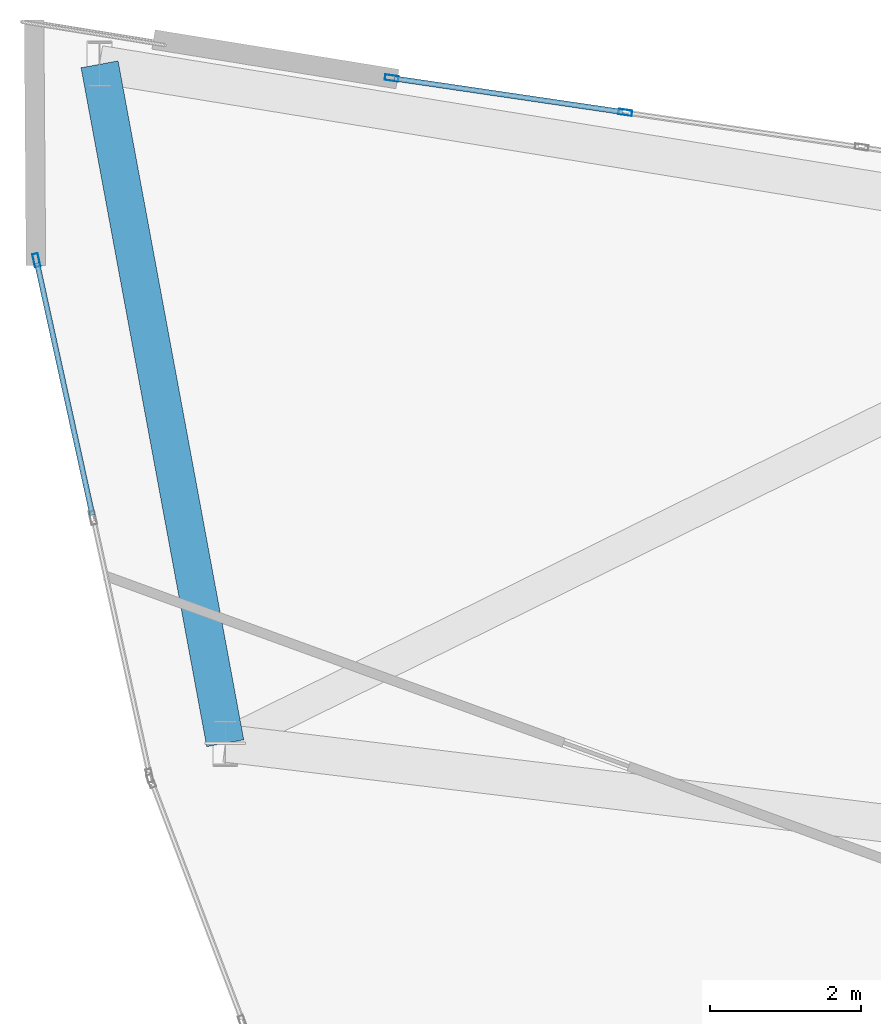
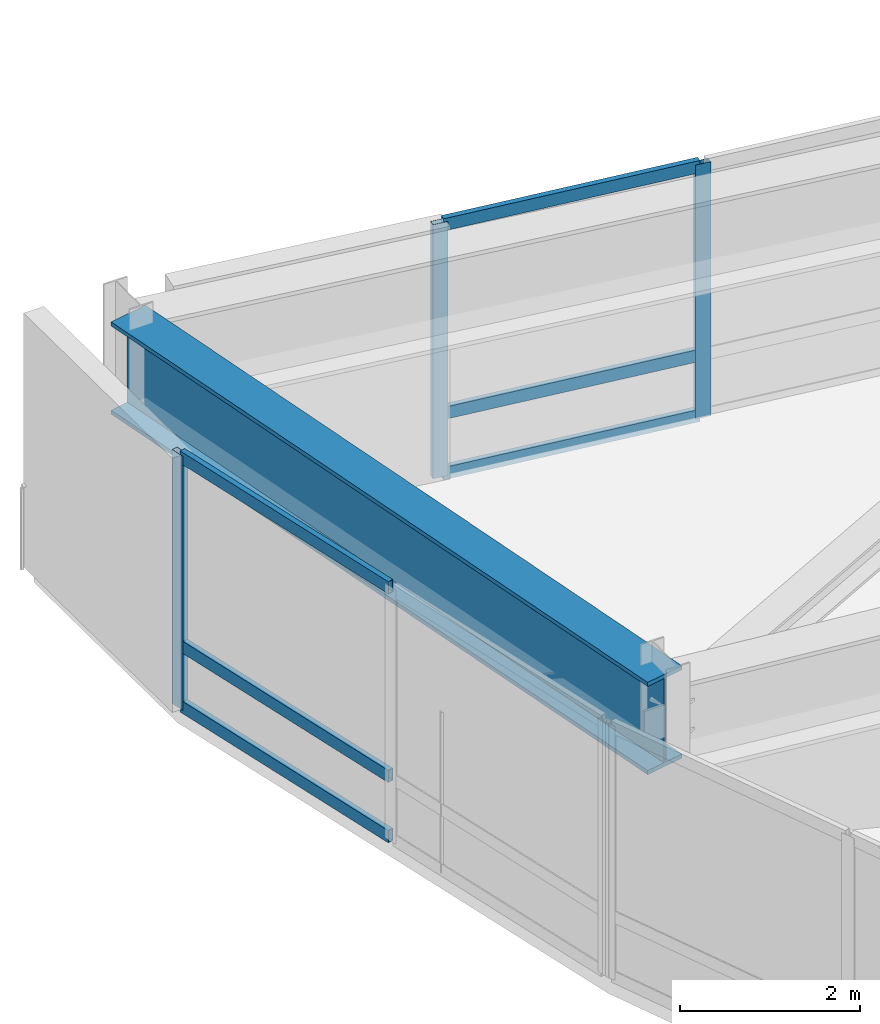
# One storey, part 10 of 25: 9 members, 1 beam, 2 elements without a shape of their own.
"""IFC4 building model written with IfcOpenShell, lengths in metres."""

from ifc_helpers import new_model, si_unit, direction, frame, origin, origin_2d, place, context, subcontext, project, spatial, hollow_rectangle, i_section, extrude, material, layer, layer_set, material_profile, profile_set, type_object, element, aggregate, save


model = new_model("IFC4")

# Units and contexts
model_context = context("Model", 3, precision=1e-05, world=origin(), true_north=direction((0.0, 1.0)))
body_context = subcontext(model_context, "Body", "Model", "MODEL_VIEW")
ifc_project = project(units=[si_unit("LENGTHUNIT", "METRE"), si_unit("AREAUNIT", "SQUARE_METRE"), si_unit("VOLUMEUNIT", "CUBIC_METRE"), si_unit("PLANEANGLEUNIT", "RADIAN"), si_unit("MASSUNIT", "GRAM", prefix="KILO")], contexts=[model_context])

# Site, building, storey
site_placement = place(None, origin())
site = spatial("IfcSite", under=ifc_project, at=site_placement, CompositionType="ELEMENT")
building_placement = place(site_placement, origin())
building = spatial("IfcBuilding", under=site, at=building_placement, Name="Menara Vayukalpa", CompositionType="ELEMENT")
storey_placement = place(building_placement, frame((0.0, 0.0, 115.139892578125)))
storey = spatial("IfcBuildingStorey", under=building, at=storey_placement, Name="L28", CompositionType="ELEMENT", Elevation=115.139892578125)

# Beam
ifc_material_1 = material(Name="Steel S460", Category="steel")
ifc_material_profile_1 = material_profile(ifc_material_1, i_section(OverallWidth=0.5, OverallDepth=1.25, WebThickness=0.028076171875, FlangeThickness=0.054931640625, at=origin_2d()), Name="WG 1250x500x28x55")
ifc_profile_set_1 = profile_set([ifc_material_profile_1], Name="Steel S460")
beam_type = type_object("IfcBeamType", Name="BM-TG2", PredefinedType="BEAM", material=ifc_profile_set_1)
beam_placement = place(storey_placement, frame((-0.4287109375, 38.2373046875, 2.815185546875), z_axis=(0.182027272378, -0.983293482187, 0.0), x_axis=(0.983293482187, 0.182027272378, 0.0)))
element("IfcBeam", 1, at=beam_placement, inside=storey, type_object=beam_type, Name="L28 SB2 Sky Bar Edge Girder 1", PredefinedType="BEAM", context=body_context, shape_type="SweptSolid", body=[
    extrude(i_section(OverallWidth=0.5, OverallDepth=1.25, WebThickness=0.028076171875, FlangeThickness=0.054931640625, at=origin_2d()), origin(), (0.0, 0.0, 1.0), 9.167236328125),
])

# Curtain wall, members
ifc_material_2 = material(Name="Anodised Terracotta Aluminium Alloy 6063-T6", Category="masonry")
ifc_layer = layer(ifc_material_2, 0.179931640625)
ifc_layer_set = layer_set([ifc_layer], Name="Anodised Terracotta Aluminium Alloy 6063-T6")
curtain_wall_type = type_object("IfcCurtainWallType", Name="CW-CW4", PredefinedType="USERDEFINED", material=ifc_layer_set)
curtain_wall_1_placement = place(storey_placement, origin())
curtain_wall_1 = element("IfcCurtainWall", 2, at=curtain_wall_1_placement, inside=storey, type_object=curtain_wall_type, Name="L28 Sky Bar Cantilever Glazed Curtain Wall CW4 07", ObjectType="UNITISED", PredefinedType="USERDEFINED")
ifc_material_3 = material(Name="Anodised Terracotta Aluminium Alloy 6063-T6", Category="masonry")
ifc_material_profile_2 = material_profile(ifc_material_3, hollow_rectangle(XDim=0.074951171875, YDim=0.179931640625, WallThickness=0.00390625, at=origin_2d()), Name="ALU 75x180x4")
ifc_profile_set_2 = profile_set([ifc_material_profile_2], Name="Anodised Terracotta Aluminium Alloy 6063-T6")
member_type_1 = type_object("IfcMemberType", Name="CWM-CW4", PredefinedType="MULLION", material=ifc_profile_set_2)
member_1_placement = place(storey_placement, frame((6.552001953125, 37.598876953125, 0.0), z_axis=(0.0, 0.0, 1.0), x_axis=(-0.145450733924, -0.989365495659, 0.0)))
member_1 = element("IfcMember", 3, at=member_1_placement, type_object=member_type_1, Name="CW4 mullion 3", PredefinedType="MULLION", context=body_context, shape_type="SweptSolid", body=[
    extrude(hollow_rectangle(XDim=0.074951171875, YDim=0.179931640625, WallThickness=0.00390625, at=origin_2d()), origin(), (0.0, 0.0, 1.0), 3.440185546875),
])
member_2_placement = place(storey_placement, frame((3.4501953125, 38.054931640625, 0.0), z_axis=(0.0, 0.0, 1.0), x_axis=(-0.145450733924, -0.989365495659, 0.0)))
member_2 = element("IfcMember", 4, at=member_2_placement, type_object=member_type_1, Name="CW4 mullion 4", PredefinedType="MULLION", context=body_context, shape_type="SweptSolid", body=[
    extrude(hollow_rectangle(XDim=0.074951171875, YDim=0.179931640625, WallThickness=0.00390625, at=origin_2d()), origin(), (0.0, 0.0, 1.0), 3.440185546875),
])

# Curtain wall, member
curtain_wall_2_placement = place(storey_placement, origin())
curtain_wall_2 = element("IfcCurtainWall", 5, at=curtain_wall_2_placement, inside=storey, type_object=curtain_wall_type, Name="L28 Sky Bar Cantilever Glazed Curtain Wall CW4 10", ObjectType="UNITISED", PredefinedType="USERDEFINED")
member_3_placement = place(storey_placement, frame((-1.267333984375, 35.635986328125, 0.0), z_axis=(0.0, 0.0, 1.0), x_axis=(0.976721757533, 0.214510159112, 0.0)))
member_3 = element("IfcMember", 6, at=member_3_placement, type_object=member_type_1, Name="CW4 mullion 1", PredefinedType="MULLION", context=body_context, shape_type="SweptSolid", body=[
    extrude(hollow_rectangle(XDim=0.074951171875, YDim=0.179931640625, WallThickness=0.00390625, at=origin_2d()), origin(), (0.0, 0.0, 1.0), 3.440185546875),
])

# Member
ifc_material_4 = material(Name="Anodised Terracotta Aluminium Alloy 6063-T6", Category="masonry")
ifc_material_profile_3 = material_profile(ifc_material_4, hollow_rectangle(XDim=0.070068359375, YDim=0.1650390625, WallThickness=0.00390625, at=origin_2d()), Name="ALU 70x165x4")
ifc_profile_set_3 = profile_set([ifc_material_profile_3], Name="Anodised Terracotta Aluminium Alloy 6063-T6")
member_type_2 = type_object("IfcMemberType", Name="CWT-CW4", PredefinedType="USERDEFINED", material=ifc_profile_set_3)
member_4_placement = place(storey_placement, frame((6.514892578125, 37.604248046875, 0.03515625), z_axis=(-0.989366902659, 0.145441163096, 0.0), x_axis=(-0.145441163096, -0.989366902659, 0.0)))
member_4 = element("IfcMember", 7, at=member_4_placement, type_object=member_type_2, Name="CW4 transom 3.1", ObjectType="TRANSOM", PredefinedType="USERDEFINED", context=body_context, shape_type="SweptSolid", body=[
    extrude(hollow_rectangle(XDim=0.070068359375, YDim=0.1650390625, WallThickness=0.00390625, at=origin_2d()), origin(), (0.0, 0.0, 1.0), 3.06005859375),
])

member_5_placement = place(storey_placement, frame((6.514892578125, 37.604248046875, 0.85009765625), z_axis=(-0.989366902659, 0.145441163096, 0.0), x_axis=(-0.145441163096, -0.989366902659, 0.0)))
member_5 = element("IfcMember", 8, at=member_5_placement, type_object=member_type_2, Name="CW4 transom 3.2", ObjectType="TRANSOM", PredefinedType="USERDEFINED", context=body_context, shape_type="SweptSolid", body=[
    extrude(hollow_rectangle(XDim=0.070068359375, YDim=0.1650390625, WallThickness=0.00390625, at=origin_2d()), origin(), (0.0, 0.0, 1.0), 3.06005859375),
])

member_6_placement = place(storey_placement, frame((6.514892578125, 37.604248046875, 3.405029296875), z_axis=(-0.989366902659, 0.145441163096, 0.0), x_axis=(-0.145441163096, -0.989366902659, 0.0)))
member_6 = element("IfcMember", 9, at=member_6_placement, type_object=member_type_2, Name="CW4 transom 3.3", ObjectType="TRANSOM", PredefinedType="USERDEFINED", context=body_context, shape_type="SweptSolid", body=[
    extrude(hollow_rectangle(XDim=0.070068359375, YDim=0.1650390625, WallThickness=0.00390625, at=origin_2d()), origin(), (0.0, 0.0, 1.0), 3.06005859375),
])

aggregate(curtain_wall_1, [member_1, member_2, member_4, member_5, member_6])

member_7_placement = place(storey_placement, frame((-1.25927734375, 35.599365234375, 0.03515625), z_axis=(0.21453159436, -0.976717049621, 0.0), x_axis=(0.976717049621, 0.21453159436, 0.0)))
member_7 = element("IfcMember", 10, at=member_7_placement, type_object=member_type_2, Name="CW4 transom 1.1", ObjectType="TRANSOM", PredefinedType="USERDEFINED", context=body_context, shape_type="SweptSolid", body=[
    extrude(hollow_rectangle(XDim=0.070068359375, YDim=0.1650390625, WallThickness=0.00390625, at=origin_2d()), origin(), (0.0, 0.0, 1.0), 3.427734375),
])

member_8_placement = place(storey_placement, frame((-1.25927734375, 35.599365234375, 0.85009765625), z_axis=(0.21453159436, -0.976717049621, 0.0), x_axis=(0.976717049621, 0.21453159436, 0.0)))
member_8 = element("IfcMember", 11, at=member_8_placement, type_object=member_type_2, Name="CW4 transom 1.2", ObjectType="TRANSOM", PredefinedType="USERDEFINED", context=body_context, shape_type="SweptSolid", body=[
    extrude(hollow_rectangle(XDim=0.070068359375, YDim=0.1650390625, WallThickness=0.00390625, at=origin_2d()), origin(), (0.0, 0.0, 1.0), 3.427734375),
])

member_9_placement = place(storey_placement, frame((-1.25927734375, 35.599365234375, 3.405029296875), z_axis=(0.21453159436, -0.976717049621, 0.0), x_axis=(0.976717049621, 0.21453159436, 0.0)))
member_9 = element("IfcMember", 12, at=member_9_placement, type_object=member_type_2, Name="CW4 transom 1.3", ObjectType="TRANSOM", PredefinedType="USERDEFINED", context=body_context, shape_type="SweptSolid", body=[
    extrude(hollow_rectangle(XDim=0.070068359375, YDim=0.1650390625, WallThickness=0.00390625, at=origin_2d()), origin(), (0.0, 0.0, 1.0), 3.427734375),
])

aggregate(curtain_wall_2, [member_3, member_7, member_8, member_9])

save(model, "model.ifc")
